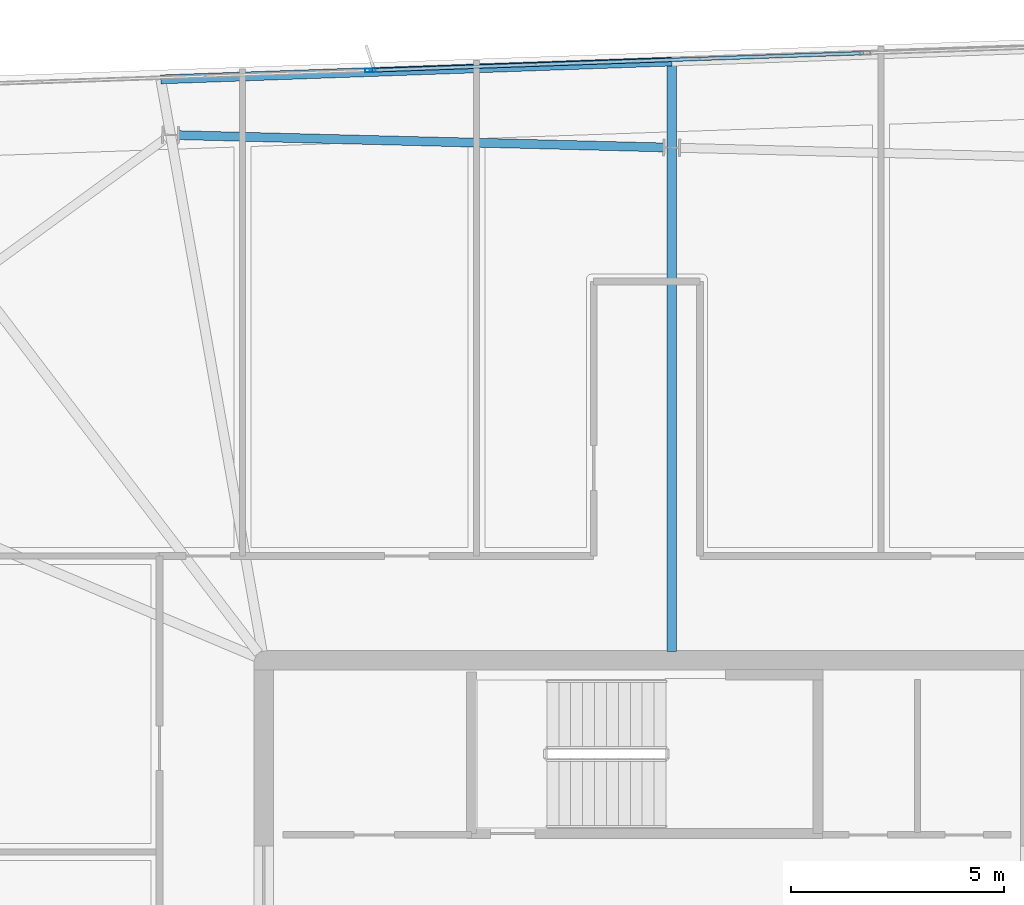
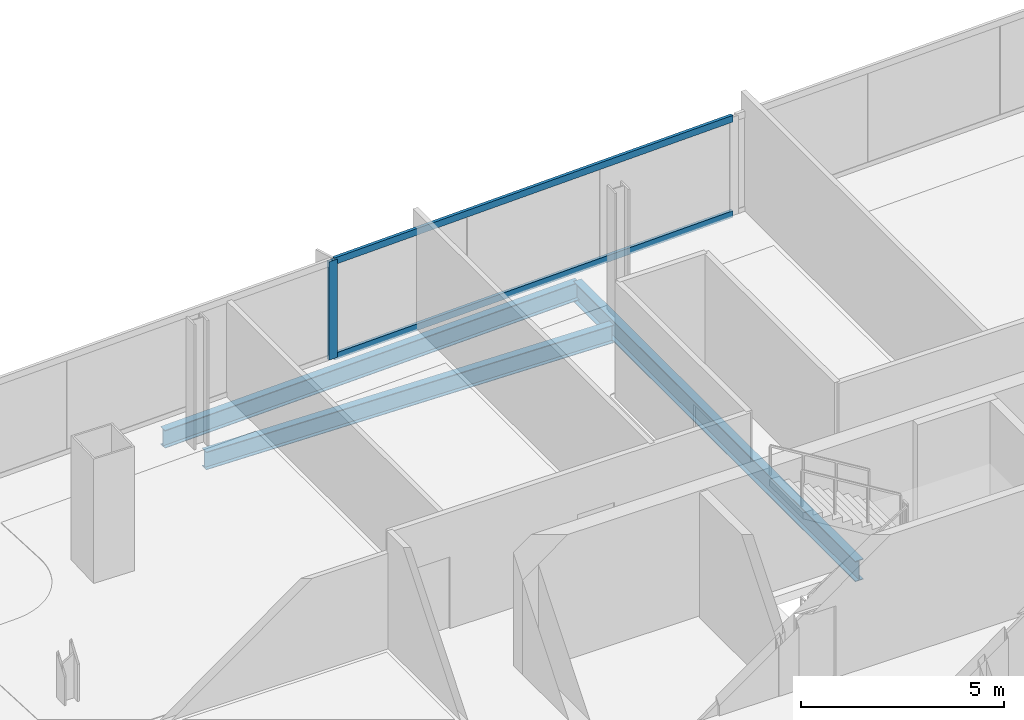
# One storey, part 12 of 23: 3 beams, 3 members, 1 element without a shape of its own.
"""IFC4 building model written with IfcOpenShell, lengths in metres."""

from ifc_helpers import new_model, si_unit, direction, frame, origin, origin_2d, place, context, subcontext, project, spatial, hollow_rectangle, i_section, extrude, material, material_profile, profile_set, type_object, element, aggregate, save


model = new_model("IFC4")

# Units and contexts
model_context = context("Model", 3, precision=1e-05, world=origin(), true_north=direction((0.0, 1.0)))
body_context = subcontext(model_context, "Body", "Model", "MODEL_VIEW")
ifc_project = project(units=[si_unit("LENGTHUNIT", "METRE"), si_unit("AREAUNIT", "SQUARE_METRE"), si_unit("VOLUMEUNIT", "CUBIC_METRE"), si_unit("PLANEANGLEUNIT", "RADIAN"), si_unit("MASSUNIT", "GRAM", prefix="KILO")], contexts=[model_context])

# Site, building, storey
site_placement = place(None, origin())
site = spatial("IfcSite", under=ifc_project, at=site_placement, CompositionType="ELEMENT")
building_placement = place(site_placement, origin())
building = spatial("IfcBuilding", under=site, at=building_placement, Name="Haldenkirk Collegiate Tower", CompositionType="ELEMENT")
storey_placement = place(building_placement, frame((0.0, 0.0, 336.449951171875)))
storey = spatial("IfcBuildingStorey", under=building, at=storey_placement, Name="L85", CompositionType="ELEMENT", Elevation=336.449951171875)

# Beams
ifc_material_1 = material(Name="Steel ASTM A992 Grade 50", Category="steel")
ifc_material_profile_1 = material_profile(ifc_material_1, i_section(OverallWidth=0.22998046875, OverallDepth=0.616943359375, WebThickness=0.01318359375, FlangeThickness=0.022216796875, at=origin_2d()), Name="W24X94")
ifc_profile_set_1 = profile_set([ifc_material_profile_1], Name="Steel ASTM A992 Grade 50")
beam_type_1 = type_object("IfcBeamType", Name="BM-GIRDER-W24X94", PredefinedType="BEAM", material=ifc_profile_set_1)
beam_1_placement = place(storey_placement, frame((36.582275390625, 48.063720703125, -0.568359375), z_axis=(0.0, -1.0, 0.0), x_axis=(1.0, 0.0, 0.0)))
element("IfcBeam", 1, at=beam_1_placement, inside=storey, type_object=beam_type_1, Name="L85 primary floor girder 09", PredefinedType="BEAM", context=body_context, shape_type="SweptSolid", body=[
    extrude(i_section(OverallWidth=0.22998046875, OverallDepth=0.616943359375, WebThickness=0.01318359375, FlangeThickness=0.022216796875, at=origin_2d()), origin(), (0.0, 0.0, 1.0), 13.858642578125),
])
ifc_material_profile_2 = material_profile(ifc_material_1, i_section(OverallWidth=0.2099609375, OverallDepth=0.537109375, WebThickness=0.010986328125, FlangeThickness=0.017333984375, at=origin_2d()), Name="W21X68")
ifc_profile_set_2 = profile_set([ifc_material_profile_2], Name="Steel ASTM A992 Grade 50")
beam_type_2 = type_object("IfcBeamType", Name="BM-SPANDREL-W21X68", PredefinedType="SPANDREL", material=ifc_profile_set_2)
beam_2_placement = place(storey_placement, frame((36.394287109375, 46.04638671875, -0.528564453125), z_axis=(-0.999680042221, 0.02529452876, 0.0), x_axis=(-0.02529452876, -0.999680042221, 0.0)))
element("IfcBeam", 2, at=beam_2_placement, inside=storey, type_object=beam_type_2, Name="L85 perimeter spandrel beam 07", PredefinedType="SPANDREL", context=body_context, shape_type="SweptSolid", body=[
    extrude(i_section(OverallWidth=0.2099609375, OverallDepth=0.537109375, WebThickness=0.010986328125, FlangeThickness=0.017333984375, at=origin_2d()), origin(), (0.0, 0.0, 1.0), 11.39892578125),
])
beam_3_placement = place(storey_placement, frame((36.582275390625, 48.063720703125, -0.528564453125), z_axis=(-0.999390692151, -0.034903358591, 0.0), x_axis=(0.034903358591, -0.999390692151, 0.0)))
element("IfcBeam", 3, at=beam_3_placement, inside=storey, type_object=beam_type_2, Name="L85 outer facade edge beam 2B", PredefinedType="SPANDREL", context=body_context, shape_type="SweptSolid", body=[
    extrude(i_section(OverallWidth=0.2099609375, OverallDepth=0.537109375, WebThickness=0.010986328125, FlangeThickness=0.017333984375, at=origin_2d()), origin(), (0.0, 0.0, 1.0), 12.010009765625),
])

# Curtain wall, members
ifc_material_2 = material(Name="Anodised architectural bronze aluminium", Category="aluminium")
curtain_wall_type = type_object("IfcCurtainWallType", Name="CW-SYS1B-CONVEX-HI", PredefinedType="USERDEFINED", material=ifc_material_2)
curtain_wall_placement = place(storey_placement, origin())
curtain_wall = element("IfcCurtainWall", 4, at=curtain_wall_placement, inside=storey, type_object=curtain_wall_type, Name="L85 Upper tower high-wind convex bronze unitised curtain wall", ObjectType="UNITISED CURTAIN WALL", PredefinedType="USERDEFINED")
ifc_material_profile_3 = material_profile(ifc_material_2, hollow_rectangle(XDim=0.0849609375, YDim=0.25, WallThickness=0.0048828125, at=origin_2d()), Name="CW-MUL-1B")
ifc_profile_set_3 = profile_set([ifc_material_profile_3], Name="Anodised architectural bronze aluminium")
member_type_1 = type_object("IfcMemberType", Name="CW-MUL-1B", PredefinedType="MULLION", material=ifc_profile_set_3)
member_1_placement = place(storey_placement, frame((29.50830078125, 47.856689453125, 0.0), z_axis=(0.0, 0.0, 1.0), x_axis=(-0.034901844415, 0.999390745032, 0.0)))
member_1 = element("IfcMember", 5, at=member_1_placement, type_object=member_type_1, Name="CW-1B mullion 2", PredefinedType="MULLION", context=body_context, shape_type="SweptSolid", body=[
    extrude(hollow_rectangle(XDim=0.0849609375, YDim=0.25, WallThickness=0.0048828125, at=origin_2d()), origin(), (0.0, 0.0, 1.0), 2.947998046875),
])
ifc_material_profile_4 = material_profile(ifc_material_2, hollow_rectangle(XDim=0.0849609375, YDim=0.199951171875, WallThickness=0.0048828125, at=origin_2d()), Name="CW-TRN-1B")
ifc_profile_set_4 = profile_set([ifc_material_profile_4], Name="Anodised architectural bronze aluminium")
member_type_2 = type_object("IfcMemberType", Name="CW-TRN-1B", PredefinedType="USERDEFINED", material=ifc_profile_set_4)
member_2_placement = place(storey_placement, frame((29.55078125, 47.858154296875, 0.04248046875), z_axis=(0.999390548236, 0.034907479087, 0.0), x_axis=(-0.034907479087, 0.999390548236, 0.0)))
member_2 = element("IfcMember", 6, at=member_2_placement, type_object=member_type_2, Name="CW-1B transom 2.1", ObjectType="TRANSOM", PredefinedType="USERDEFINED", context=body_context, shape_type="SweptSolid", body=[
    extrude(hollow_rectangle(XDim=0.0849609375, YDim=0.199951171875, WallThickness=0.0048828125, at=origin_2d()), origin(), (0.0, 0.0, 1.0), 11.5400390625),
])
member_3_placement = place(storey_placement, frame((29.55078125, 47.858154296875, 2.905517578125), z_axis=(0.999390548236, 0.034907479087, 0.0), x_axis=(-0.034907479087, 0.999390548236, 0.0)))
member_3 = element("IfcMember", 7, at=member_3_placement, type_object=member_type_2, Name="CW-1B transom 2.2", ObjectType="TRANSOM", PredefinedType="USERDEFINED", context=body_context, shape_type="SweptSolid", body=[
    extrude(hollow_rectangle(XDim=0.0849609375, YDim=0.199951171875, WallThickness=0.0048828125, at=origin_2d()), origin(), (0.0, 0.0, 1.0), 11.5400390625),
])
aggregate(curtain_wall, [member_1, member_2, member_3])

save(model, "model.ifc")
